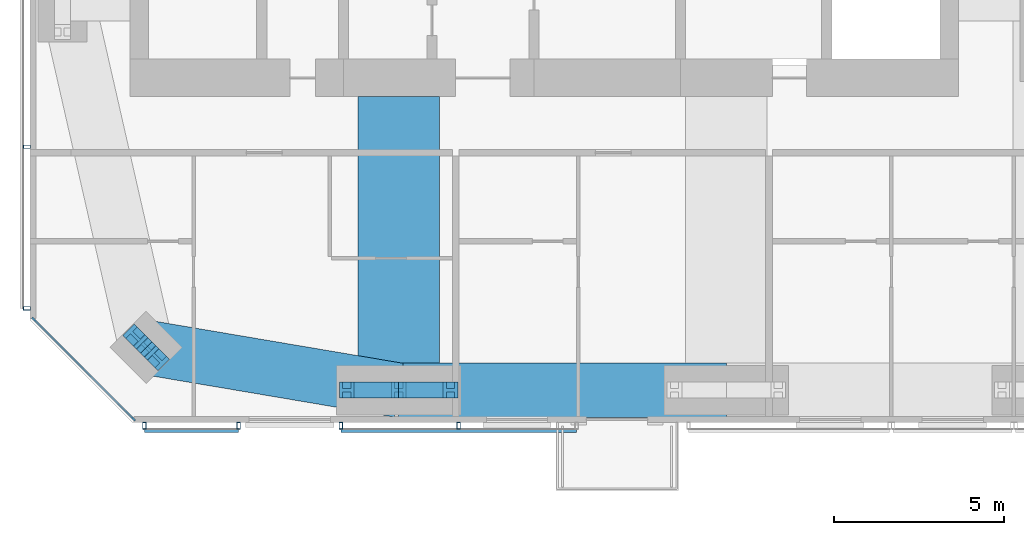
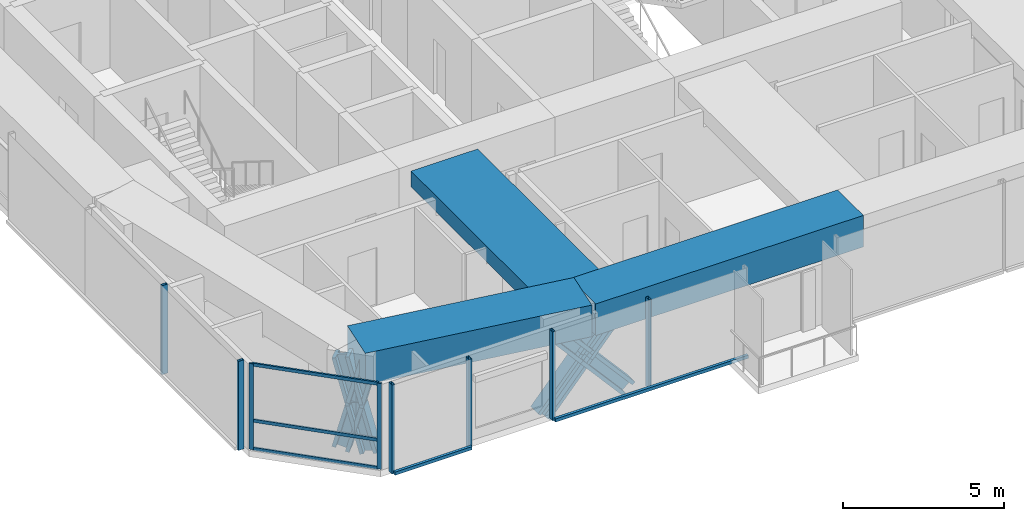
# One storey, part 2 of 18: 21 members, 3 beams, 4 elements without a shape of their own.
"""IFC4 building model written with IfcOpenShell, lengths in metres."""

from ifc_helpers import new_model, si_unit, direction, frame, origin, origin_2d, place, context, subcontext, project, spatial, rectangle, hollow_rectangle, i_section, extrude, material, material_profile, profile_set, type_object, element, aggregate, save


model = new_model("IFC4")

# Units and contexts
model_context = context("Model", 3, precision=1e-05, world=origin(), true_north=direction((0.0, 1.0)))
body_context = subcontext(model_context, "Body", "Model", "MODEL_VIEW")
ifc_project = project(units=[si_unit("LENGTHUNIT", "METRE"), si_unit("AREAUNIT", "SQUARE_METRE"), si_unit("VOLUMEUNIT", "CUBIC_METRE"), si_unit("PLANEANGLEUNIT", "RADIAN"), si_unit("MASSUNIT", "GRAM", prefix="KILO")], contexts=[model_context])

# Site, building, storey
site_placement = place(None, origin())
site = spatial("IfcSite", under=ifc_project, at=site_placement, CompositionType="ELEMENT")
building_placement = place(site_placement, origin())
building = spatial("IfcBuilding", under=site, at=building_placement, Name="Jalousie Tower", CompositionType="ELEMENT")
storey_placement = place(building_placement, frame((0.0, 0.0, 228.449951171875)))
storey = spatial("IfcBuildingStorey", under=building, at=storey_placement, Name="L62", CompositionType="ELEMENT", Elevation=228.449951171875)

# Curtain wall, members
ifc_material_1 = material(Name="Aluminium curtain wall", Category="aluminium")
curtain_wall_type_1 = type_object("IfcCurtainWallType", Name="CORNER WINDOW WALL", PredefinedType="USERDEFINED", material=ifc_material_1)
curtain_wall_1_placement = place(storey_placement, origin())
curtain_wall_1 = element("IfcCurtainWall", 1, at=curtain_wall_1_placement, inside=storey, type_object=curtain_wall_type_1, Name="Corner Window Wall L62 8", ObjectType="CORNER WINDOW WALL", PredefinedType="USERDEFINED")
ifc_material_2 = material(Name="Aluminium mullion", Category="aluminium")
ifc_material_profile_1 = material_profile(ifc_material_2, rectangle(XDim=0.06005859375, YDim=0.14990234375, at=origin_2d()), Name="MULLION 60x150")
ifc_profile_set_1 = profile_set([ifc_material_profile_1], Name="Aluminium mullion")
member_type_1 = type_object("IfcMemberType", Name="CORNER WINDOW WALL MULLION", PredefinedType="MULLION", material=ifc_profile_set_1)
member_1_placement = place(storey_placement, frame((16.90869140625, 3.030029296875, 0.0), z_axis=(0.0, 0.0, 1.0), x_axis=(0.707106781187, 0.707106781187, 0.0)))
member_1 = element("IfcMember", 2, at=member_1_placement, type_object=member_type_1, Name="CW-C mullion 1", PredefinedType="MULLION", context=body_context, shape_type="SweptSolid", body=[
    extrude(rectangle(XDim=0.06005859375, YDim=0.14990234375, at=origin_2d()), origin(), (0.0, 0.0, 1.0), 3.260009765625),
])
member_2_placement = place(storey_placement, frame((19.830078125, 0.108642578125, 0.0), z_axis=(0.0, 0.0, 1.0), x_axis=(0.707106781187, 0.707106781187, 0.0)))
member_2 = element("IfcMember", 3, at=member_2_placement, type_object=member_type_1, Name="CW-C mullion 2", PredefinedType="MULLION", context=body_context, shape_type="SweptSolid", body=[
    extrude(rectangle(XDim=0.06005859375, YDim=0.14990234375, at=origin_2d()), origin(), (0.0, 0.0, 1.0), 3.260009765625),
])
ifc_material_3 = material(Name="Aluminium transom", Category="aluminium")
ifc_material_profile_2 = material_profile(ifc_material_3, rectangle(XDim=0.06005859375, YDim=0.1201171875, at=origin_2d()), Name="TRANSOM 60x120")
ifc_profile_set_2 = profile_set([ifc_material_profile_2], Name="Aluminium transom")
member_type_2 = type_object("IfcMemberType", Name="CORNER WINDOW WALL TRANSOM", PredefinedType="USERDEFINED", material=ifc_profile_set_2)
member_3_placement = place(storey_placement, frame((16.929931640625, 3.0087890625, 0.030029296875), z_axis=(0.707106781187, -0.707106781187, 0.0), x_axis=(0.707106781187, 0.707106781187, 0.0)))
member_3 = element("IfcMember", 4, at=member_3_placement, type_object=member_type_2, Name="CW-C transom 1.1", ObjectType="TRANSOM", PredefinedType="USERDEFINED", context=body_context, shape_type="SweptSolid", body=[
    extrude(rectangle(XDim=0.06005859375, YDim=0.1201171875, at=origin_2d()), origin(), (0.0, 0.0, 1.0), 4.0712890625),
])
member_4_placement = place(storey_placement, frame((16.929931640625, 3.0087890625, 1.10009765625), z_axis=(0.707106781187, -0.707106781187, 0.0), x_axis=(0.707106781187, 0.707106781187, 0.0)))
member_4 = element("IfcMember", 5, at=member_4_placement, type_object=member_type_2, Name="CW-C transom 1.2", ObjectType="TRANSOM", PredefinedType="USERDEFINED", context=body_context, shape_type="SweptSolid", body=[
    extrude(rectangle(XDim=0.06005859375, YDim=0.1201171875, at=origin_2d()), origin(), (0.0, 0.0, 1.0), 4.0712890625),
])
member_5_placement = place(storey_placement, frame((16.929931640625, 3.0087890625, 3.22998046875), z_axis=(0.707106781187, -0.707106781187, 0.0), x_axis=(0.707106781187, 0.707106781187, 0.0)))
member_5 = element("IfcMember", 6, at=member_5_placement, type_object=member_type_2, Name="CW-C transom 1.3", ObjectType="TRANSOM", PredefinedType="USERDEFINED", context=body_context, shape_type="SweptSolid", body=[
    extrude(rectangle(XDim=0.06005859375, YDim=0.1201171875, at=origin_2d()), origin(), (0.0, 0.0, 1.0), 4.0712890625),
])
aggregate(curtain_wall_1, [member_1, member_2, member_3, member_4, member_5])

# Members
ifc_material_4 = material(Name="Steel ASTM A992 Grade 50", Category="steel")
ifc_material_profile_3 = material_profile(ifc_material_4, i_section(OverallWidth=0.472412109375, OverallDepth=0.5791015625, WebThickness=0.094970703125, FlangeThickness=0.1298828125, at=origin_2d()), Name="W14X808")
ifc_profile_set_3 = profile_set([ifc_material_profile_3], Name="Steel ASTM A992 Grade 50")
member_type_3 = type_object("IfcMemberType", Name="PERIMETER BRACE W14X808", PredefinedType="BRACE", material=ifc_profile_set_3)
for number, where, z_axis, x_axis, name in (
    (7, (19.888916015625, 2.525390625, -0.599853515625), (0.176051427143, -0.17618653952, 0.968485517854), (0.707377963048, 0.706835495285, 0.0), "Perimeter brace 01 L62 part 1"),
    (8, (20.20703125, 2.20703125, 1.150146484375), (0.17618653952, -0.176051427143, 0.968485517854), (0.706835495285, 0.707377963048, 0.0), "Perimeter brace 01 L62 part 2"),
    (9, (20.525390625, 1.888916015625, -0.599853515625), (-0.17618653952, 0.176051427143, 0.968485517854), (-0.706835495285, -0.707377963048, 0.0), "Perimeter brace 01 L62 part 3"),
    (10, (20.20703125, 2.20703125, 1.150146484375), (-0.176051427143, 0.17618653952, 0.968485517854), (-0.707377963048, -0.706835495285, 0.0), "Perimeter brace 01 L62 part 4"),
):
    element("IfcMember", number, at=place(storey_placement, frame(where, z_axis=z_axis, x_axis=x_axis)), inside=storey, type_object=member_type_3, Name=name, PredefinedType="BRACE", context=body_context, shape_type="SweptSolid", body=[
        extrude(i_section(OverallWidth=0.472412109375, OverallDepth=0.5791015625, WebThickness=0.094970703125, FlangeThickness=0.1298828125, at=origin_2d()), origin(), (0.0, 0.0, 1.0), 1.806884765625),
    ])
for number, where, z_axis, x_axis, name in (
    (11, (26.10009765625, 0.949951171875, -0.599853515625), (0.65695436777, 0.0, 0.753930340726), (0.0, 1.0, 0.0), "Perimeter brace 02 L62 part 1"),
    (12, (27.625, 0.949951171875, 1.150146484375), (0.65695436777, 0.0, 0.753930340726), (0.0, 1.0, 0.0), "Perimeter brace 02 L62 part 2"),
    (13, (29.14990234375, 0.949951171875, -0.599853515625), (-0.65695436777, 0.0, 0.753930340726), (0.0, -1.0, 0.0), "Perimeter brace 02 L62 part 3"),
    (14, (27.625, 0.949951171875, 1.150146484375), (-0.65695436777, 0.0, 0.753930340726), (0.0, -1.0, 0.0), "Perimeter brace 02 L62 part 4"),
):
    element("IfcMember", number, at=place(storey_placement, frame(where, z_axis=z_axis, x_axis=x_axis)), inside=storey, type_object=member_type_3, Name=name, PredefinedType="BRACE", context=body_context, shape_type="SweptSolid", body=[
        extrude(i_section(OverallWidth=0.472412109375, OverallDepth=0.5791015625, WebThickness=0.094970703125, FlangeThickness=0.1298828125, at=origin_2d()), origin(), (0.0, 0.0, 1.0), 2.3212890625),
    ])

# Beams
ifc_material_5 = material(Name="Concrete f'c 40 MPa", Category="concrete")
ifc_material_profile_4 = material_profile(ifc_material_5, rectangle(XDim=1.60009765625, YDim=1.199951171875, at=origin_2d()), Name="RC 1600x1200")
ifc_profile_set_4 = profile_set([ifc_material_profile_4], Name="Concrete f'c 40 MPa")
beam_type_1 = type_object("IfcBeamType", Name="RC BEAM 1600x1200", PredefinedType="BEAM", material=ifc_profile_set_4)
beam_1_placement = place(storey_placement, frame((20.20703125, 2.20703125, 2.900146484375), z_axis=(0.985942997446, -0.167082033105, 0.0), x_axis=(0.167082033105, 0.985942997446, 0.0)))
element("IfcBeam", 15, at=beam_1_placement, inside=storey, type_object=beam_type_1, Name="Edge band beam 01-02 under L63", PredefinedType="BEAM", context=body_context, shape_type="SweptSolid", body=[
    extrude(rectangle(XDim=1.60009765625, YDim=1.199951171875, at=origin_2d()), origin(), (0.0, 0.0, 1.0), 7.523681640625),
])
beam_2_placement = place(storey_placement, frame((27.625, 0.949951171875, 2.900146484375), z_axis=(1.0, 0.0, 0.0), x_axis=(0.0, 1.0, 0.0)))
element("IfcBeam", 16, at=beam_2_placement, inside=storey, type_object=beam_type_1, Name="Edge band beam 02-03 under L63", PredefinedType="BEAM", context=body_context, shape_type="SweptSolid", body=[
    extrude(rectangle(XDim=1.60009765625, YDim=1.199951171875, at=origin_2d()), origin(), (0.0, 0.0, 1.0), 9.625),
])
ifc_material_6 = material(Name="Concrete f'c 40 MPa", Category="concrete")
ifc_material_profile_5 = material_profile(ifc_material_6, rectangle(XDim=2.39990234375, YDim=0.60009765625, at=origin_2d()), Name="RC 2400x600")
ifc_profile_set_5 = profile_set([ifc_material_profile_5], Name="Concrete f'c 40 MPa")
beam_type_2 = type_object("IfcBeamType", Name="RC BEAM 2400x600", PredefinedType="BEAM", material=ifc_profile_set_5)
beam_3_placement = place(storey_placement, frame((27.625, 0.949951171875, 2.9599609375), z_axis=(0.0, 1.0, 0.0), x_axis=(-1.0, 0.0, 0.0)))
element("IfcBeam", 17, at=beam_3_placement, inside=storey, type_object=beam_type_2, Name="Floor band beam under L63", PredefinedType="BEAM", context=body_context, shape_type="SweptSolid", body=[
    extrude(rectangle(XDim=2.39990234375, YDim=0.60009765625, at=origin_2d()), origin(), (0.0, 0.0, 1.0), 8.625),
])

# Curtain wall, members
ifc_material_7 = material(Name="Perforated aluminium sheet", Category="aluminium")
curtain_wall_type_2 = type_object("IfcCurtainWallType", Name="SOLAR SCREEN SS-2", PredefinedType="USERDEFINED", material=ifc_material_7)
curtain_wall_2_placement = place(storey_placement, origin())
curtain_wall_2 = element("IfcCurtainWall", 18, at=curtain_wall_2_placement, inside=storey, type_object=curtain_wall_type_2, Name="Solar screen L62", ObjectType="SOLAR SCREEN SS-2", PredefinedType="USERDEFINED")
ifc_material_8 = material(Name="Steel ASTM A500 Grade C", Category="steel")
ifc_material_profile_6 = material_profile(ifc_material_8, hollow_rectangle(XDim=0.1015625, YDim=0.203125, WallThickness=0.0078125, at=origin_2d()), Name="HSS8X4X5/16")
ifc_profile_set_6 = profile_set([ifc_material_profile_6], Name="Steel ASTM A500 Grade C")
member_type_4 = type_object("IfcMemberType", Name="SOLAR SCREEN SS-2 MULLION", PredefinedType="MULLION", material=ifc_profile_set_6)
member_6_placement = place(storey_placement, frame((20.1513671875, -0.0966796875, -0.119873046875), z_axis=(0.0, 0.0, 1.0), x_axis=(1.0, 0.0, 0.0)))
member_6 = element("IfcMember", 19, at=member_6_placement, type_object=member_type_4, Name="SS2 post 1", PredefinedType="MULLION", context=body_context, shape_type="SweptSolid", body=[
    extrude(hollow_rectangle(XDim=0.1015625, YDim=0.203125, WallThickness=0.0078125, at=origin_2d()), origin(), (0.0, 0.0, 1.0), 3.3798828125),
])
member_7_placement = place(storey_placement, frame((22.923828125, -0.0966796875, -0.119873046875), z_axis=(0.0, 0.0, 1.0), x_axis=(1.0, 0.0, 0.0)))
member_7 = element("IfcMember", 20, at=member_7_placement, type_object=member_type_4, Name="SS2 post 2", PredefinedType="MULLION", context=body_context, shape_type="SweptSolid", body=[
    extrude(hollow_rectangle(XDim=0.1015625, YDim=0.203125, WallThickness=0.0078125, at=origin_2d()), origin(), (0.0, 0.0, 1.0), 3.3798828125),
])

curtain_wall_3_placement = place(storey_placement, origin())
curtain_wall_3 = element("IfcCurtainWall", 21, at=curtain_wall_3_placement, inside=storey, type_object=curtain_wall_type_2, Name="Solar screen L62", ObjectType="SOLAR SCREEN SS-2", PredefinedType="USERDEFINED")
member_8_placement = place(storey_placement, frame((25.923828125, -0.0966796875, -0.119873046875), z_axis=(0.0, 0.0, 1.0), x_axis=(1.0, 0.0, 0.0)))
member_8 = element("IfcMember", 22, at=member_8_placement, type_object=member_type_4, Name="SS2 post 1", PredefinedType="MULLION", context=body_context, shape_type="SweptSolid", body=[
    extrude(hollow_rectangle(XDim=0.1015625, YDim=0.203125, WallThickness=0.0078125, at=origin_2d()), origin(), (0.0, 0.0, 1.0), 3.3798828125),
])
member_9_placement = place(storey_placement, frame((29.386962890625, -0.0966796875, -0.119873046875), z_axis=(0.0, 0.0, 1.0), x_axis=(1.0, 0.0, 0.0)))
member_9 = element("IfcMember", 23, at=member_9_placement, type_object=member_type_4, Name="SS2 post 2", PredefinedType="MULLION", context=body_context, shape_type="SweptSolid", body=[
    extrude(hollow_rectangle(XDim=0.1015625, YDim=0.203125, WallThickness=0.0078125, at=origin_2d()), origin(), (0.0, 0.0, 1.0), 3.3798828125),
])

curtain_wall_4_placement = place(storey_placement, origin())
curtain_wall_4 = element("IfcCurtainWall", 24, at=curtain_wall_4_placement, inside=storey, type_object=curtain_wall_type_2, Name="Solar screen L62", ObjectType="SOLAR SCREEN SS-2", PredefinedType="USERDEFINED")
member_10_placement = place(storey_placement, frame((16.703369140625, 8.100830078125, -0.119873046875), z_axis=(0.0, 0.0, 1.0), x_axis=(0.0, -1.0, 0.0)))
member_10 = element("IfcMember", 25, at=member_10_placement, type_object=member_type_4, Name="SS2 post 3", PredefinedType="MULLION", context=body_context, shape_type="SweptSolid", body=[
    extrude(hollow_rectangle(XDim=0.1015625, YDim=0.203125, WallThickness=0.0078125, at=origin_2d()), origin(), (0.0, 0.0, 1.0), 3.3798828125),
])
member_11_placement = place(storey_placement, frame((16.703369140625, 3.351318359375, -0.119873046875), z_axis=(0.0, 0.0, 1.0), x_axis=(0.0, -1.0, 0.0)))
member_11 = element("IfcMember", 26, at=member_11_placement, type_object=member_type_4, Name="SS2 post 4", PredefinedType="MULLION", context=body_context, shape_type="SweptSolid", body=[
    extrude(hollow_rectangle(XDim=0.1015625, YDim=0.203125, WallThickness=0.0078125, at=origin_2d()), origin(), (0.0, 0.0, 1.0), 3.3798828125),
])
aggregate(curtain_wall_4, [member_10, member_11])

# Member
ifc_material_9 = material(Name="Extruded aluminium screen rail", Category="aluminium")
ifc_material_profile_7 = material_profile(ifc_material_9, rectangle(XDim=0.1015625, YDim=0.1201171875, at=origin_2d()), Name="RAIL 102x120")
ifc_profile_set_7 = profile_set([ifc_material_profile_7], Name="Extruded aluminium screen rail")
member_type_5 = type_object("IfcMemberType", Name="SOLAR SCREEN SS-2 TRANSOM", PredefinedType="USERDEFINED", material=ifc_profile_set_7)
member_12_placement = place(storey_placement, frame((20.1513671875, -0.2490234375, -0.06005859375), z_axis=(1.0, 0.0, 0.0), x_axis=(0.0, 1.0, 0.0)))
member_12 = element("IfcMember", 27, at=member_12_placement, type_object=member_type_5, Name="SS2 rail", ObjectType="TRANSOM", PredefinedType="USERDEFINED", context=body_context, shape_type="SweptSolid", body=[
    extrude(rectangle(XDim=0.1015625, YDim=0.1201171875, at=origin_2d()), origin(), (0.0, 0.0, 1.0), 2.7724609375),
])

aggregate(curtain_wall_2, [member_6, member_7, member_12])

member_13_placement = place(storey_placement, frame((25.923828125, -0.2490234375, -0.06005859375), z_axis=(1.0, 0.0, 0.0), x_axis=(0.0, 1.0, 0.0)))
member_13 = element("IfcMember", 28, at=member_13_placement, type_object=member_type_5, Name="SS2 rail", ObjectType="TRANSOM", PredefinedType="USERDEFINED", context=body_context, shape_type="SweptSolid", body=[
    extrude(rectangle(XDim=0.1015625, YDim=0.1201171875, at=origin_2d()), origin(), (0.0, 0.0, 1.0), 6.92626953125),
])

aggregate(curtain_wall_3, [member_8, member_9, member_13])

save(model, "model.ifc")
